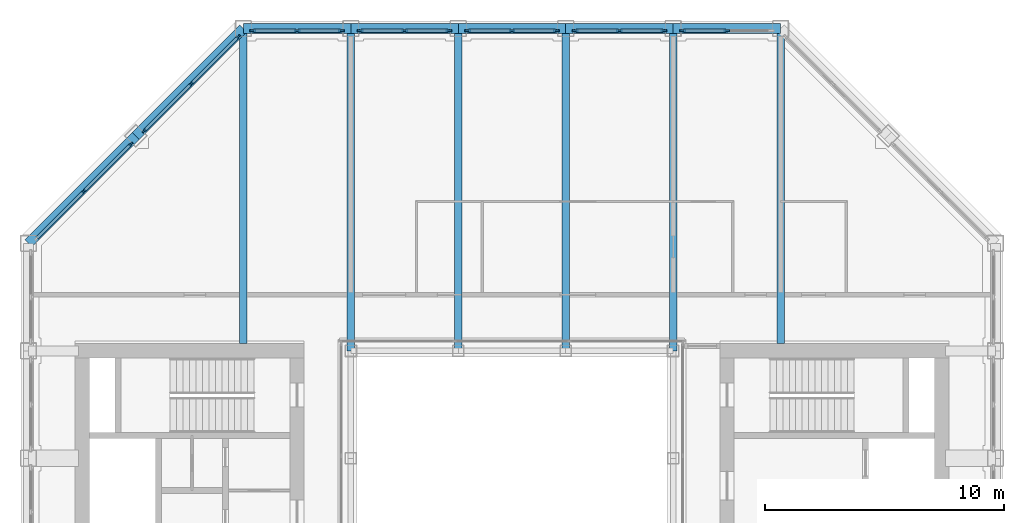
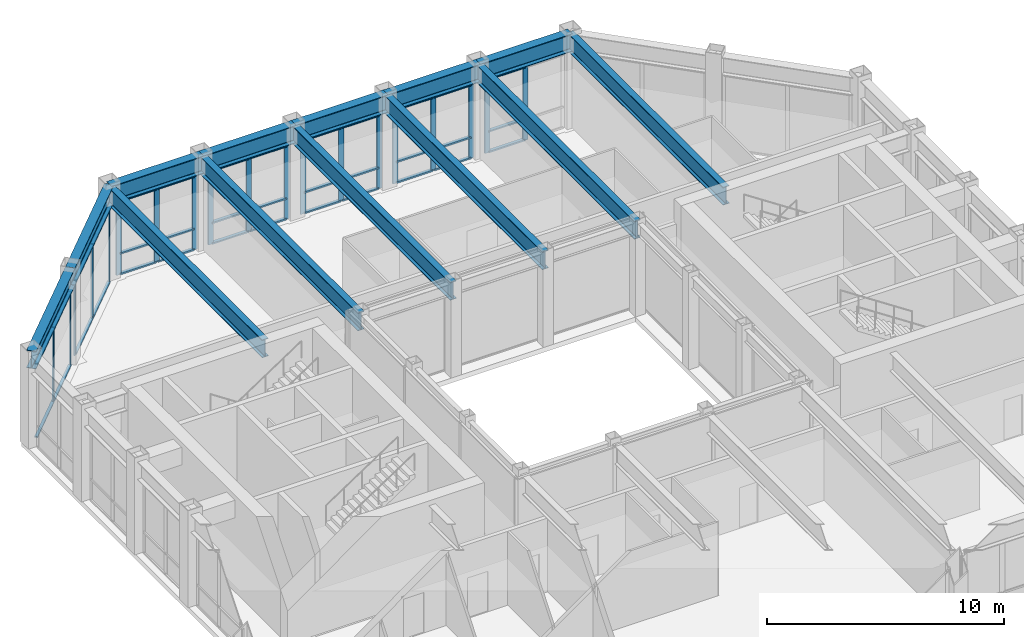
# One storey, part 7 of 15: 54 members, 13 beams, 7 elements without a shape of their own.
"""IFC4 building model written with IfcOpenShell, lengths in metres."""

import ifcopenshell
import ifcopenshell.guid

model = None  # the IFC model being written
_history = None  # IfcOwnerHistory: only IFC2X3 demands one
_inside = {}  # id of a spatial element -> (the spatial element, [elements in it])
_under = {}  # id of a project, library or spatial element -> (it, [spatial elements below it])
_declared = {}  # id of a project -> (the project, [libraries it declares])
_typed = {}  # id of a type object -> (the type object, [elements of that type])
_made_of = {}  # id of a material, layer set ... -> (it, [elements and type objects made of it])


def new_model(schema):
    """Start an empty IFC model of exactly this schema.

    Asked for "IFC4X3", IfcOpenShell would pick the latest addendum, in which some entities
    have other attributes; the version numbers below select the first issue.
    IFC2X3 requires an IfcOwnerHistory on every rooted entity: one is made here for all.
    """
    global model, _history
    if schema == "IFC4X3":
        model = ifcopenshell.file(schema_version=(4, 3, 0, 0))
    else:
        model = ifcopenshell.file(schema=schema)
    _inside.clear()
    _under.clear()
    _declared.clear()
    _typed.clear()
    _made_of.clear()
    _history = None
    if model.schema == "IFC2X3":
        org = make("IfcOrganization", Name="unknown")
        user = make(
            "IfcPersonAndOrganization",
            ThePerson=make("IfcPerson", FamilyName="unknown"),
            TheOrganization=org,
        )
        app = make(
            "IfcApplication",
            ApplicationDeveloper=org,
            Version="unknown",
            ApplicationFullName="unknown",
            ApplicationIdentifier="unknown",
        )
        _history = make(
            "IfcOwnerHistory",
            OwningUser=user,
            OwningApplication=app,
            ChangeAction="ADDED",
            CreationDate=0,
        )
    return model


def make(cls, **values):
    """One entity of the class cls with the attributes given. An attribute that is None is left unset."""
    return model.create_entity(
        cls, **{name: value for name, value in values.items() if value is not None}
    )


def rooted(cls, **values):
    """An entity with a GlobalId (a new one), such as an element, a storey or a relation."""
    return make(cls, GlobalId=ifcopenshell.guid.new(), OwnerHistory=_history, **values)


def si_unit(unit_type, name, prefix=None):
    """IfcSIUnit, for example si_unit("LENGTHUNIT", "METRE", prefix="MILLI")."""
    return make("IfcSIUnit", UnitType=unit_type, Prefix=prefix, Name=name)


def assignment(units):
    """IfcUnitAssignment: the units of a project."""
    return None if units is None else make("IfcUnitAssignment", Units=units)


def point(xyz):
    """IfcCartesianPoint."""
    return None if xyz is None else make("IfcCartesianPoint", Coordinates=xyz)


def direction(xyz):
    """IfcDirection."""
    return None if xyz is None else make("IfcDirection", DirectionRatios=xyz)


def frame(location, z_axis=None, x_axis=None):
    """IfcAxis2Placement3D, a coordinate frame: its origin and axes. An axis left out is left unset."""
    return make(
        "IfcAxis2Placement3D",
        Location=point(location),
        Axis=direction(z_axis),
        RefDirection=direction(x_axis),
    )


def frame_2d(location, x_axis=None):
    """IfcAxis2Placement2D, a coordinate frame in the plane: its origin and x axis."""
    return make(
        "IfcAxis2Placement2D", Location=point(location), RefDirection=direction(x_axis)
    )


def origin():
    """The frame at (0, 0, 0) with its axes left unset."""
    return frame((0.0, 0.0, 0.0))


def origin_2d():
    """The frame at (0, 0) in the plane with its x axis left unset."""
    return frame_2d((0.0, 0.0))


def place(relative_to, where):
    """IfcLocalPlacement: puts the frame where relative to a parent placement (None: the world)."""
    return make(
        "IfcLocalPlacement", PlacementRelTo=relative_to, RelativePlacement=where
    )


def context(
    kind, dimensions, precision=None, world=None, true_north=None, identifier=None
):
    """IfcGeometricRepresentationContext, for example the 3D "Model" context."""
    return make(
        "IfcGeometricRepresentationContext",
        ContextIdentifier=identifier,
        ContextType=kind,
        CoordinateSpaceDimension=dimensions,
        Precision=precision,
        WorldCoordinateSystem=world,
        TrueNorth=true_north,
    )


def subcontext(parent, identifier, kind, view, scale=None):
    """IfcGeometricRepresentationSubContext, for example "Body" below "Model"."""
    return make(
        "IfcGeometricRepresentationSubContext",
        ContextIdentifier=identifier,
        ContextType=kind,
        ParentContext=parent,
        TargetScale=scale,
        TargetView=view,
    )


def project(units=None, contexts=None):
    """IfcProject with its units and contexts."""
    return rooted(
        "IfcProject",
        Name="project",
        RepresentationContexts=contexts,
        UnitsInContext=assignment(units),
    )


def spatial(cls, under=None, at=None, **own):
    """A site, building, storey or space (cls), placed at a placement, below another one or the project."""
    s = rooted(cls, ObjectPlacement=at, **own)
    if under is not None:
        _under.setdefault(under.id(), (under, []))[1].append(s)
    return s


def profile(cls, at=None, kind="AREA", **sizes):
    """A parametric profile (cls). Its sizes go by their IFC names, for example OverallWidth=200.0."""
    return make(cls, ProfileType=kind, Position=at, **sizes)


def rectangle(**sizes):
    """IfcRectangleProfileDef."""
    return profile("IfcRectangleProfileDef", **sizes)


def i_section(**sizes):
    """IfcIShapeProfileDef."""
    return profile("IfcIShapeProfileDef", **sizes)


def extrude(swept, where, along, depth):
    """IfcExtrudedAreaSolid: the profile swept, set in the frame where, extruded along a direction by depth."""
    return make(
        "IfcExtrudedAreaSolid",
        SweptArea=swept,
        Position=where,
        ExtrudedDirection=direction(along),
        Depth=depth,
    )


def shape(context_of_items, identifier, shape_type, items):
    """IfcShapeRepresentation: the items that make up one representation, for example the "Body"."""
    return make(
        "IfcShapeRepresentation",
        ContextOfItems=context_of_items,
        RepresentationIdentifier=identifier,
        RepresentationType=shape_type,
        Items=items,
    )


def material(Name=None, Category=None):
    """IfcMaterial."""
    return make("IfcMaterial", Name=Name, Category=Category)


def material_profile(
    of_material, cross_section, Name=None, Category=None, Priority=None
):
    """IfcMaterialProfile: a cross section and its material."""
    return make(
        "IfcMaterialProfile",
        Name=Name,
        Material=of_material,
        Profile=cross_section,
        Priority=Priority,
        Category=Category,
    )


def profile_set(profiles, Name=None, composite=None):
    """IfcMaterialProfileSet."""
    return make(
        "IfcMaterialProfileSet",
        Name=Name,
        MaterialProfiles=profiles,
        CompositeProfile=composite,
    )


def made_of(thing, what):
    """Note that an element or type object is made of a material, layer set ...; save() writes the relation."""
    if what is not None:
        _made_of.setdefault(what.id(), (what, []))[1].append(thing)
    return thing


def type_object(cls, material=None, **own):
    """A type object (cls), such as IfcWallType, which elements share."""
    return made_of(rooted(cls, **own), material)


def element(
    cls,
    number,
    at=None,
    inside=None,
    cuts=None,
    type_object=None,
    material=None,
    context=None,
    identifier="Body",
    shape_type=None,
    held_by="IfcProductDefinitionShape",
    body=None,
    shapes=None,
    **own,
):
    """One element of the class cls, such as IfcWall. Its Tag is "e" and its number.

    at: its placement. inside: the storey or other place that contains it. cuts: it is an
    opening in that element (IfcRelVoidsElement). A single representation is given by context,
    identifier, shape_type and body (its items); several are given by shapes. held_by: the class
    of the entity that holds the representations. save() writes the other relations.
    """
    e = rooted(cls, Tag="e%d" % number, ObjectPlacement=at, **own)
    if body is not None:
        shapes = [shape(context, identifier, shape_type, body)]
    if shapes is not None:
        e.Representation = make(held_by, Representations=shapes)
    if inside is not None:
        _inside.setdefault(inside.id(), (inside, []))[1].append(e)
    if cuts is not None:
        rooted(
            "IfcRelVoidsElement", RelatingBuildingElement=cuts, RelatedOpeningElement=e
        )
    if type_object is not None:
        _typed.setdefault(type_object.id(), (type_object, []))[1].append(e)
    return made_of(e, material)


def aggregate(whole, parts):
    """IfcRelAggregates: a whole, such as a stair, and the parts it consists of."""
    return rooted("IfcRelAggregates", RelatingObject=whole, RelatedObjects=parts)


def save(model, path):
    """Write the relations noted so far, then the file.

    IfcRelAggregates (storeys below a building ...), IfcRelContainedInSpatialStructure (elements
    in a storey), IfcRelDefinesByType, IfcRelAssociatesMaterial and IfcRelDeclares: one each for
    every whole, place, type object, material and project.
    """
    for whole, parts in _under.values():
        aggregate(whole, parts)
    for where, things in _inside.values():
        rooted(
            "IfcRelContainedInSpatialStructure",
            RelatedElements=things,
            RelatingStructure=where,
        )
    for kind, things in _typed.values():
        rooted("IfcRelDefinesByType", RelatedObjects=things, RelatingType=kind)
    for what, things in _made_of.values():
        rooted("IfcRelAssociatesMaterial", RelatedObjects=things, RelatingMaterial=what)
    for by, libraries in _declared.values():
        rooted("IfcRelDeclares", RelatingContext=by, RelatedDefinitions=libraries)
    model.write(path)


model = new_model("IFC4")

# Units and contexts
model_context = context("Model", 3, precision=1e-05, world=origin(), true_north=direction((0.0, 1.0)))
body_context = subcontext(model_context, "Body", "Model", "MODEL_VIEW")
ifc_project = project(units=[si_unit("LENGTHUNIT", "METRE"), si_unit("AREAUNIT", "SQUARE_METRE"), si_unit("VOLUMEUNIT", "CUBIC_METRE"), si_unit("PLANEANGLEUNIT", "RADIAN"), si_unit("MASSUNIT", "GRAM", prefix="KILO")], contexts=[model_context])

# Site, building, storey
site_placement = place(None, origin())
site = spatial("IfcSite", under=ifc_project, at=site_placement, CompositionType="ELEMENT")
building_placement = place(site_placement, origin())
building = spatial("IfcBuilding", under=site, at=building_placement, Name="Msasa Ring Tower", CompositionType="ELEMENT")
storey_placement = place(building_placement, frame((0.0, 0.0, 257.050048828125)))
storey = spatial("IfcBuildingStorey", under=building, at=storey_placement, Name="L67", CompositionType="ELEMENT", Elevation=257.050048828125)

# Curtain wall, members
ifc_material_1 = material(Name="Aluminium curtain wall with clear glass", Category="aluminium")
curtain_wall_type_1 = type_object("IfcCurtainWallType", Name="CW-C CHAMFER CORNER CURTAIN WALL", PredefinedType="NOTDEFINED", material=ifc_material_1)
curtain_wall_1_placement = place(storey_placement, origin())
curtain_wall_1 = element("IfcCurtainWall", 1, at=curtain_wall_1_placement, inside=storey, type_object=curtain_wall_type_1, Name="Chamfer corner curtain wall NW L67", PredefinedType="NOTDEFINED")
ifc_material_2 = material(Name="Aluminium mullion", Category="aluminium")
ifc_material_profile_1 = material_profile(ifc_material_2, rectangle(XDim=0.06494140625, YDim=0.179931640625, at=origin_2d()), Name="AL 65x180")
ifc_profile_set_1 = profile_set([ifc_material_profile_1], Name="Aluminium mullion")
member_type_1 = type_object("IfcMemberType", Name="CW-C MULLION 65x180", PredefinedType="MULLION", material=ifc_profile_set_1)
member_1_placement = place(storey_placement, frame((-15.953369140625, 15.4052734375, 0.0), z_axis=(0.0, 0.0, 1.0), x_axis=(0.707106781187, -0.707106781187, 0.0)))
member_1 = element("IfcMember", 2, at=member_1_placement, type_object=member_type_1, Name="CW-C mullion 1", PredefinedType="MULLION", context=body_context, shape_type="SweptSolid", body=[
    extrude(rectangle(XDim=0.06494140625, YDim=0.179931640625, at=origin_2d()), origin(), (0.0, 0.0, 1.0), 3.828857421875),
])
member_2_placement = place(storey_placement, frame((-17.92919921875, 13.42919921875, 0.0), z_axis=(0.0, 0.0, 1.0), x_axis=(0.707106781187, -0.707106781187, 0.0)))
member_2 = element("IfcMember", 3, at=member_2_placement, type_object=member_type_1, Name="CW-C mullion 2", PredefinedType="MULLION", context=body_context, shape_type="SweptSolid", body=[
    extrude(rectangle(XDim=0.06494140625, YDim=0.179931640625, at=origin_2d()), origin(), (0.0, 0.0, 1.0), 3.828857421875),
])

curtain_wall_2_placement = place(storey_placement, origin())
curtain_wall_2 = element("IfcCurtainWall", 4, at=curtain_wall_2_placement, inside=storey, type_object=curtain_wall_type_1, Name="Chamfer corner curtain wall NW L67", PredefinedType="NOTDEFINED")
member_3_placement = place(storey_placement, frame((-11.453369140625, 19.9052734375, 0.0), z_axis=(0.0, 0.0, 1.0), x_axis=(0.707106781187, -0.707106781187, 0.0)))
member_3 = element("IfcMember", 5, at=member_3_placement, type_object=member_type_1, Name="CW-C mullion 1", PredefinedType="MULLION", context=body_context, shape_type="SweptSolid", body=[
    extrude(rectangle(XDim=0.06494140625, YDim=0.179931640625, at=origin_2d()), origin(), (0.0, 0.0, 1.0), 3.828857421875),
])
member_4_placement = place(storey_placement, frame((-13.42919921875, 17.92919921875, 0.0), z_axis=(0.0, 0.0, 1.0), x_axis=(0.707106781187, -0.707106781187, 0.0)))
member_4 = element("IfcMember", 6, at=member_4_placement, type_object=member_type_1, Name="CW-C mullion 2", PredefinedType="MULLION", context=body_context, shape_type="SweptSolid", body=[
    extrude(rectangle(XDim=0.06494140625, YDim=0.179931640625, at=origin_2d()), origin(), (0.0, 0.0, 1.0), 3.828857421875),
])
member_5_placement = place(storey_placement, frame((-15.4052734375, 15.953369140625, 0.0), z_axis=(0.0, 0.0, 1.0), x_axis=(0.707106781187, -0.707106781187, 0.0)))
member_5 = element("IfcMember", 7, at=member_5_placement, type_object=member_type_1, Name="CW-C mullion 3", PredefinedType="MULLION", context=body_context, shape_type="SweptSolid", body=[
    extrude(rectangle(XDim=0.06494140625, YDim=0.179931640625, at=origin_2d()), origin(), (0.0, 0.0, 1.0), 3.828857421875),
])

# Member
ifc_material_3 = material(Name="Aluminium transom", Category="aluminium")
ifc_material_profile_2 = material_profile(ifc_material_3, rectangle(XDim=0.139892578125, YDim=0.06494140625, at=origin_2d()), Name="AL 65x140")
ifc_profile_set_2 = profile_set([ifc_material_profile_2], Name="Aluminium transom")
member_type_2 = type_object("IfcMemberType", Name="CW-C TRANSOM 65x140", PredefinedType="USERDEFINED", material=ifc_profile_set_2)
member_6_placement = place(storey_placement, frame((-15.976318359375, 15.38232421875, 0.032470703125), z_axis=(-0.707106781187, -0.707106781187, 0.0), x_axis=(0.707106781187, -0.707106781187, 0.0)))
member_6 = element("IfcMember", 8, at=member_6_placement, type_object=member_type_2, Name="CW-C transom 1.1", ObjectType="TRANSOM", PredefinedType="USERDEFINED", context=body_context, shape_type="SweptSolid", body=[
    extrude(rectangle(XDim=0.139892578125, YDim=0.06494140625, at=origin_2d()), origin(), (0.0, 0.0, 1.0), 2.729248046875),
])

member_7_placement = place(storey_placement, frame((-15.976318359375, 15.38232421875, 3.79638671875), z_axis=(-0.707106781187, -0.707106781187, 0.0), x_axis=(0.707106781187, -0.707106781187, 0.0)))
member_7 = element("IfcMember", 9, at=member_7_placement, type_object=member_type_2, Name="CW-C transom 1.2", ObjectType="TRANSOM", PredefinedType="USERDEFINED", context=body_context, shape_type="SweptSolid", body=[
    extrude(rectangle(XDim=0.139892578125, YDim=0.06494140625, at=origin_2d()), origin(), (0.0, 0.0, 1.0), 2.729248046875),
])

member_8_placement = place(storey_placement, frame((-17.952392578125, 13.40625, 0.032470703125), z_axis=(-0.707106781187, -0.707106781187, 0.0), x_axis=(0.707106781187, -0.707106781187, 0.0)))
member_8 = element("IfcMember", 10, at=member_8_placement, type_object=member_type_2, Name="CW-C transom 2.1", ObjectType="TRANSOM", PredefinedType="USERDEFINED", context=body_context, shape_type="SweptSolid", body=[
    extrude(rectangle(XDim=0.139892578125, YDim=0.06494140625, at=origin_2d()), origin(), (0.0, 0.0, 1.0), 2.729248046875),
])

member_9_placement = place(storey_placement, frame((-17.952392578125, 13.40625, 3.79638671875), z_axis=(-0.707106781187, -0.707106781187, 0.0), x_axis=(0.707106781187, -0.707106781187, 0.0)))
member_9 = element("IfcMember", 11, at=member_9_placement, type_object=member_type_2, Name="CW-C transom 2.2", ObjectType="TRANSOM", PredefinedType="USERDEFINED", context=body_context, shape_type="SweptSolid", body=[
    extrude(rectangle(XDim=0.139892578125, YDim=0.06494140625, at=origin_2d()), origin(), (0.0, 0.0, 1.0), 2.729248046875),
])

aggregate(curtain_wall_1, [member_1, member_2, member_6, member_7, member_8, member_9])

member_10_placement = place(storey_placement, frame((-11.476318359375, 19.88232421875, 0.032470703125), z_axis=(-0.707106781187, -0.707106781187, 0.0), x_axis=(0.707106781187, -0.707106781187, 0.0)))
member_10 = element("IfcMember", 12, at=member_10_placement, type_object=member_type_2, Name="CW-C transom 1.1", ObjectType="TRANSOM", PredefinedType="USERDEFINED", context=body_context, shape_type="SweptSolid", body=[
    extrude(rectangle(XDim=0.139892578125, YDim=0.06494140625, at=origin_2d()), origin(), (0.0, 0.0, 1.0), 2.729248046875),
])

member_11_placement = place(storey_placement, frame((-11.476318359375, 19.88232421875, 3.79638671875), z_axis=(-0.707106781187, -0.707106781187, 0.0), x_axis=(0.707106781187, -0.707106781187, 0.0)))
member_11 = element("IfcMember", 13, at=member_11_placement, type_object=member_type_2, Name="CW-C transom 1.2", ObjectType="TRANSOM", PredefinedType="USERDEFINED", context=body_context, shape_type="SweptSolid", body=[
    extrude(rectangle(XDim=0.139892578125, YDim=0.06494140625, at=origin_2d()), origin(), (0.0, 0.0, 1.0), 2.729248046875),
])

member_12_placement = place(storey_placement, frame((-13.452392578125, 17.90625, 0.032470703125), z_axis=(-0.707106781187, -0.707106781187, 0.0), x_axis=(0.707106781187, -0.707106781187, 0.0)))
member_12 = element("IfcMember", 14, at=member_12_placement, type_object=member_type_2, Name="CW-C transom 2.1", ObjectType="TRANSOM", PredefinedType="USERDEFINED", context=body_context, shape_type="SweptSolid", body=[
    extrude(rectangle(XDim=0.139892578125, YDim=0.06494140625, at=origin_2d()), origin(), (0.0, 0.0, 1.0), 2.729248046875),
])

member_13_placement = place(storey_placement, frame((-13.452392578125, 17.90625, 3.79638671875), z_axis=(-0.707106781187, -0.707106781187, 0.0), x_axis=(0.707106781187, -0.707106781187, 0.0)))
member_13 = element("IfcMember", 15, at=member_13_placement, type_object=member_type_2, Name="CW-C transom 2.2", ObjectType="TRANSOM", PredefinedType="USERDEFINED", context=body_context, shape_type="SweptSolid", body=[
    extrude(rectangle(XDim=0.139892578125, YDim=0.06494140625, at=origin_2d()), origin(), (0.0, 0.0, 1.0), 2.729248046875),
])

aggregate(curtain_wall_2, [member_3, member_4, member_5, member_10, member_11, member_12, member_13])

# Curtain wall, members
ifc_material_4 = material(Name="Aluminium curtain wall with clear glass", Category="aluminium")
curtain_wall_type_2 = type_object("IfcCurtainWallType", Name="CW-S SKY LOBBY CURTAIN WALL", PredefinedType="NOTDEFINED", material=ifc_material_4)
curtain_wall_3_placement = place(storey_placement, origin())
curtain_wall_3 = element("IfcCurtainWall", 16, at=curtain_wall_3_placement, inside=storey, type_object=curtain_wall_type_2, Name="Sky lobby curtain wall N L67", PredefinedType="NOTDEFINED")
ifc_material_5 = material(Name="Aluminium mullion", Category="aluminium")
ifc_material_profile_3 = material_profile(ifc_material_5, rectangle(XDim=0.074951171875, YDim=0.25, at=origin_2d()), Name="AL 75x250")
ifc_profile_set_3 = profile_set([ifc_material_profile_3], Name="Aluminium mullion")
member_type_3 = type_object("IfcMemberType", Name="CW-S MULLION 75x250", PredefinedType="MULLION", material=ifc_profile_set_3)
member_14_placement = place(storey_placement, frame((-10.857421875, 20.14990234375, 0.0), z_axis=(0.0, 0.0, 1.0), x_axis=(0.0, 1.0, 0.0)))
member_14 = element("IfcMember", 17, at=member_14_placement, type_object=member_type_3, Name="CW-S mullion 1", PredefinedType="MULLION", context=body_context, shape_type="SweptSolid", body=[
    extrude(rectangle(XDim=0.074951171875, YDim=0.25, at=origin_2d()), origin(), (0.0, 0.0, 1.0), 3.828857421875),
])
member_15_placement = place(storey_placement, frame((-9.0, 20.14990234375, 0.0), z_axis=(0.0, 0.0, 1.0), x_axis=(0.0, 1.0, 0.0)))
member_15 = element("IfcMember", 18, at=member_15_placement, type_object=member_type_3, Name="CW-S mullion 2", PredefinedType="MULLION", context=body_context, shape_type="SweptSolid", body=[
    extrude(rectangle(XDim=0.074951171875, YDim=0.25, at=origin_2d()), origin(), (0.0, 0.0, 1.0), 3.828857421875),
])
member_16_placement = place(storey_placement, frame((-7.142578125, 20.14990234375, 0.0), z_axis=(0.0, 0.0, 1.0), x_axis=(0.0, 1.0, 0.0)))
member_16 = element("IfcMember", 19, at=member_16_placement, type_object=member_type_3, Name="CW-S mullion 3", PredefinedType="MULLION", context=body_context, shape_type="SweptSolid", body=[
    extrude(rectangle(XDim=0.074951171875, YDim=0.25, at=origin_2d()), origin(), (0.0, 0.0, 1.0), 3.828857421875),
])

curtain_wall_4_placement = place(storey_placement, origin())
curtain_wall_4 = element("IfcCurtainWall", 20, at=curtain_wall_4_placement, inside=storey, type_object=curtain_wall_type_2, Name="Sky lobby curtain wall N L67", PredefinedType="NOTDEFINED")
member_17_placement = place(storey_placement, frame((-6.357421875, 20.14990234375, 0.0), z_axis=(0.0, 0.0, 1.0), x_axis=(0.0, 1.0, 0.0)))
member_17 = element("IfcMember", 21, at=member_17_placement, type_object=member_type_3, Name="CW-S mullion 1", PredefinedType="MULLION", context=body_context, shape_type="SweptSolid", body=[
    extrude(rectangle(XDim=0.074951171875, YDim=0.25, at=origin_2d()), origin(), (0.0, 0.0, 1.0), 3.828857421875),
])
member_18_placement = place(storey_placement, frame((-4.5, 20.14990234375, 0.0), z_axis=(0.0, 0.0, 1.0), x_axis=(0.0, 1.0, 0.0)))
member_18 = element("IfcMember", 22, at=member_18_placement, type_object=member_type_3, Name="CW-S mullion 2", PredefinedType="MULLION", context=body_context, shape_type="SweptSolid", body=[
    extrude(rectangle(XDim=0.074951171875, YDim=0.25, at=origin_2d()), origin(), (0.0, 0.0, 1.0), 3.828857421875),
])
member_19_placement = place(storey_placement, frame((-2.642578125, 20.14990234375, 0.0), z_axis=(0.0, 0.0, 1.0), x_axis=(0.0, 1.0, 0.0)))
member_19 = element("IfcMember", 23, at=member_19_placement, type_object=member_type_3, Name="CW-S mullion 3", PredefinedType="MULLION", context=body_context, shape_type="SweptSolid", body=[
    extrude(rectangle(XDim=0.074951171875, YDim=0.25, at=origin_2d()), origin(), (0.0, 0.0, 1.0), 3.828857421875),
])

curtain_wall_5_placement = place(storey_placement, origin())
curtain_wall_5 = element("IfcCurtainWall", 24, at=curtain_wall_5_placement, inside=storey, type_object=curtain_wall_type_2, Name="Sky lobby curtain wall N L67", PredefinedType="NOTDEFINED")
member_20_placement = place(storey_placement, frame((-1.857421875, 20.14990234375, 0.0), z_axis=(0.0, 0.0, 1.0), x_axis=(0.0, 1.0, 0.0)))
member_20 = element("IfcMember", 25, at=member_20_placement, type_object=member_type_3, Name="CW-S mullion 1", PredefinedType="MULLION", context=body_context, shape_type="SweptSolid", body=[
    extrude(rectangle(XDim=0.074951171875, YDim=0.25, at=origin_2d()), origin(), (0.0, 0.0, 1.0), 3.828857421875),
])
member_21_placement = place(storey_placement, frame((0.0, 20.14990234375, 0.0), z_axis=(0.0, 0.0, 1.0), x_axis=(0.0, 1.0, 0.0)))
member_21 = element("IfcMember", 26, at=member_21_placement, type_object=member_type_3, Name="CW-S mullion 2", PredefinedType="MULLION", context=body_context, shape_type="SweptSolid", body=[
    extrude(rectangle(XDim=0.074951171875, YDim=0.25, at=origin_2d()), origin(), (0.0, 0.0, 1.0), 3.828857421875),
])
member_22_placement = place(storey_placement, frame((1.857421875, 20.14990234375, 0.0), z_axis=(0.0, 0.0, 1.0), x_axis=(0.0, 1.0, 0.0)))
member_22 = element("IfcMember", 27, at=member_22_placement, type_object=member_type_3, Name="CW-S mullion 3", PredefinedType="MULLION", context=body_context, shape_type="SweptSolid", body=[
    extrude(rectangle(XDim=0.074951171875, YDim=0.25, at=origin_2d()), origin(), (0.0, 0.0, 1.0), 3.828857421875),
])

curtain_wall_6_placement = place(storey_placement, origin())
curtain_wall_6 = element("IfcCurtainWall", 28, at=curtain_wall_6_placement, inside=storey, type_object=curtain_wall_type_2, Name="Sky lobby curtain wall N L67", PredefinedType="NOTDEFINED")
member_23_placement = place(storey_placement, frame((2.642578125, 20.14990234375, 0.0), z_axis=(0.0, 0.0, 1.0), x_axis=(0.0, 1.0, 0.0)))
member_23 = element("IfcMember", 29, at=member_23_placement, type_object=member_type_3, Name="CW-S mullion 1", PredefinedType="MULLION", context=body_context, shape_type="SweptSolid", body=[
    extrude(rectangle(XDim=0.074951171875, YDim=0.25, at=origin_2d()), origin(), (0.0, 0.0, 1.0), 3.828857421875),
])
member_24_placement = place(storey_placement, frame((4.5, 20.14990234375, 0.0), z_axis=(0.0, 0.0, 1.0), x_axis=(0.0, 1.0, 0.0)))
member_24 = element("IfcMember", 30, at=member_24_placement, type_object=member_type_3, Name="CW-S mullion 2", PredefinedType="MULLION", context=body_context, shape_type="SweptSolid", body=[
    extrude(rectangle(XDim=0.074951171875, YDim=0.25, at=origin_2d()), origin(), (0.0, 0.0, 1.0), 3.828857421875),
])
member_25_placement = place(storey_placement, frame((6.357421875, 20.14990234375, 0.0), z_axis=(0.0, 0.0, 1.0), x_axis=(0.0, 1.0, 0.0)))
member_25 = element("IfcMember", 31, at=member_25_placement, type_object=member_type_3, Name="CW-S mullion 3", PredefinedType="MULLION", context=body_context, shape_type="SweptSolid", body=[
    extrude(rectangle(XDim=0.074951171875, YDim=0.25, at=origin_2d()), origin(), (0.0, 0.0, 1.0), 3.828857421875),
])

curtain_wall_7_placement = place(storey_placement, origin())
curtain_wall_7 = element("IfcCurtainWall", 32, at=curtain_wall_7_placement, inside=storey, type_object=curtain_wall_type_2, Name="Sky lobby curtain wall N L67", PredefinedType="NOTDEFINED")
member_26_placement = place(storey_placement, frame((7.142578125, 20.14990234375, 0.0), z_axis=(0.0, 0.0, 1.0), x_axis=(0.0, 1.0, 0.0)))
member_26 = element("IfcMember", 33, at=member_26_placement, type_object=member_type_3, Name="CW-S mullion 1", PredefinedType="MULLION", context=body_context, shape_type="SweptSolid", body=[
    extrude(rectangle(XDim=0.074951171875, YDim=0.25, at=origin_2d()), origin(), (0.0, 0.0, 1.0), 3.828857421875),
])
member_27_placement = place(storey_placement, frame((9.0, 20.14990234375, 0.0), z_axis=(0.0, 0.0, 1.0), x_axis=(0.0, 1.0, 0.0)))
member_27 = element("IfcMember", 34, at=member_27_placement, type_object=member_type_3, Name="CW-S mullion 2", PredefinedType="MULLION", context=body_context, shape_type="SweptSolid", body=[
    extrude(rectangle(XDim=0.074951171875, YDim=0.25, at=origin_2d()), origin(), (0.0, 0.0, 1.0), 3.828857421875),
])

# Member
ifc_material_6 = material(Name="Aluminium transom", Category="aluminium")
ifc_material_profile_4 = material_profile(ifc_material_6, rectangle(XDim=0.159912109375, YDim=0.074951171875, at=origin_2d()), Name="AL 75x160")
ifc_profile_set_4 = profile_set([ifc_material_profile_4], Name="Aluminium transom")
member_type_4 = type_object("IfcMemberType", Name="CW-S TRANSOM 75x160", PredefinedType="USERDEFINED", material=ifc_profile_set_4)
member_28_placement = place(storey_placement, frame((-10.820068359375, 20.14990234375, 0.037353515625), z_axis=(1.0, 0.0, 0.0), x_axis=(0.0, 1.0, 0.0)))
member_28 = element("IfcMember", 35, at=member_28_placement, type_object=member_type_4, Name="CW-S transom 1.1", ObjectType="TRANSOM", PredefinedType="USERDEFINED", context=body_context, shape_type="SweptSolid", body=[
    extrude(rectangle(XDim=0.159912109375, YDim=0.074951171875, at=origin_2d()), origin(), (0.0, 0.0, 1.0), 1.782470703125),
])

member_29_placement = place(storey_placement, frame((-10.820068359375, 20.14990234375, 1.099853515625), z_axis=(1.0, 0.0, 0.0), x_axis=(0.0, 1.0, 0.0)))
member_29 = element("IfcMember", 36, at=member_29_placement, type_object=member_type_4, Name="CW-S transom 1.2", ObjectType="TRANSOM", PredefinedType="USERDEFINED", context=body_context, shape_type="SweptSolid", body=[
    extrude(rectangle(XDim=0.159912109375, YDim=0.074951171875, at=origin_2d()), origin(), (0.0, 0.0, 1.0), 1.782470703125),
])

member_30_placement = place(storey_placement, frame((-10.820068359375, 20.14990234375, 3.79150390625), z_axis=(1.0, 0.0, 0.0), x_axis=(0.0, 1.0, 0.0)))
member_30 = element("IfcMember", 37, at=member_30_placement, type_object=member_type_4, Name="CW-S transom 1.3", ObjectType="TRANSOM", PredefinedType="USERDEFINED", context=body_context, shape_type="SweptSolid", body=[
    extrude(rectangle(XDim=0.159912109375, YDim=0.074951171875, at=origin_2d()), origin(), (0.0, 0.0, 1.0), 1.782470703125),
])

member_31_placement = place(storey_placement, frame((-8.96240234375, 20.14990234375, 0.037353515625), z_axis=(1.0, 0.0, 0.0), x_axis=(0.0, 1.0, 0.0)))
member_31 = element("IfcMember", 38, at=member_31_placement, type_object=member_type_4, Name="CW-S transom 2.1", ObjectType="TRANSOM", PredefinedType="USERDEFINED", context=body_context, shape_type="SweptSolid", body=[
    extrude(rectangle(XDim=0.159912109375, YDim=0.074951171875, at=origin_2d()), origin(), (0.0, 0.0, 1.0), 1.782470703125),
])

member_32_placement = place(storey_placement, frame((-8.96240234375, 20.14990234375, 1.099853515625), z_axis=(1.0, 0.0, 0.0), x_axis=(0.0, 1.0, 0.0)))
member_32 = element("IfcMember", 39, at=member_32_placement, type_object=member_type_4, Name="CW-S transom 2.2", ObjectType="TRANSOM", PredefinedType="USERDEFINED", context=body_context, shape_type="SweptSolid", body=[
    extrude(rectangle(XDim=0.159912109375, YDim=0.074951171875, at=origin_2d()), origin(), (0.0, 0.0, 1.0), 1.782470703125),
])

member_33_placement = place(storey_placement, frame((-8.96240234375, 20.14990234375, 3.79150390625), z_axis=(1.0, 0.0, 0.0), x_axis=(0.0, 1.0, 0.0)))
member_33 = element("IfcMember", 40, at=member_33_placement, type_object=member_type_4, Name="CW-S transom 2.3", ObjectType="TRANSOM", PredefinedType="USERDEFINED", context=body_context, shape_type="SweptSolid", body=[
    extrude(rectangle(XDim=0.159912109375, YDim=0.074951171875, at=origin_2d()), origin(), (0.0, 0.0, 1.0), 1.782470703125),
])

aggregate(curtain_wall_3, [member_14, member_15, member_16, member_28, member_29, member_30, member_31, member_32, member_33])

member_34_placement = place(storey_placement, frame((-6.320068359375, 20.14990234375, 0.037353515625), z_axis=(1.0, 0.0, 0.0), x_axis=(0.0, 1.0, 0.0)))
member_34 = element("IfcMember", 41, at=member_34_placement, type_object=member_type_4, Name="CW-S transom 1.1", ObjectType="TRANSOM", PredefinedType="USERDEFINED", context=body_context, shape_type="SweptSolid", body=[
    extrude(rectangle(XDim=0.159912109375, YDim=0.074951171875, at=origin_2d()), origin(), (0.0, 0.0, 1.0), 1.782470703125),
])

member_35_placement = place(storey_placement, frame((-6.320068359375, 20.14990234375, 1.099853515625), z_axis=(1.0, 0.0, 0.0), x_axis=(0.0, 1.0, 0.0)))
member_35 = element("IfcMember", 42, at=member_35_placement, type_object=member_type_4, Name="CW-S transom 1.2", ObjectType="TRANSOM", PredefinedType="USERDEFINED", context=body_context, shape_type="SweptSolid", body=[
    extrude(rectangle(XDim=0.159912109375, YDim=0.074951171875, at=origin_2d()), origin(), (0.0, 0.0, 1.0), 1.782470703125),
])

member_36_placement = place(storey_placement, frame((-6.320068359375, 20.14990234375, 3.79150390625), z_axis=(1.0, 0.0, 0.0), x_axis=(0.0, 1.0, 0.0)))
member_36 = element("IfcMember", 43, at=member_36_placement, type_object=member_type_4, Name="CW-S transom 1.3", ObjectType="TRANSOM", PredefinedType="USERDEFINED", context=body_context, shape_type="SweptSolid", body=[
    extrude(rectangle(XDim=0.159912109375, YDim=0.074951171875, at=origin_2d()), origin(), (0.0, 0.0, 1.0), 1.782470703125),
])

member_37_placement = place(storey_placement, frame((-4.46240234375, 20.14990234375, 0.037353515625), z_axis=(1.0, 0.0, 0.0), x_axis=(0.0, 1.0, 0.0)))
member_37 = element("IfcMember", 44, at=member_37_placement, type_object=member_type_4, Name="CW-S transom 2.1", ObjectType="TRANSOM", PredefinedType="USERDEFINED", context=body_context, shape_type="SweptSolid", body=[
    extrude(rectangle(XDim=0.159912109375, YDim=0.074951171875, at=origin_2d()), origin(), (0.0, 0.0, 1.0), 1.782470703125),
])

member_38_placement = place(storey_placement, frame((-4.46240234375, 20.14990234375, 1.099853515625), z_axis=(1.0, 0.0, 0.0), x_axis=(0.0, 1.0, 0.0)))
member_38 = element("IfcMember", 45, at=member_38_placement, type_object=member_type_4, Name="CW-S transom 2.2", ObjectType="TRANSOM", PredefinedType="USERDEFINED", context=body_context, shape_type="SweptSolid", body=[
    extrude(rectangle(XDim=0.159912109375, YDim=0.074951171875, at=origin_2d()), origin(), (0.0, 0.0, 1.0), 1.782470703125),
])

member_39_placement = place(storey_placement, frame((-4.46240234375, 20.14990234375, 3.79150390625), z_axis=(1.0, 0.0, 0.0), x_axis=(0.0, 1.0, 0.0)))
member_39 = element("IfcMember", 46, at=member_39_placement, type_object=member_type_4, Name="CW-S transom 2.3", ObjectType="TRANSOM", PredefinedType="USERDEFINED", context=body_context, shape_type="SweptSolid", body=[
    extrude(rectangle(XDim=0.159912109375, YDim=0.074951171875, at=origin_2d()), origin(), (0.0, 0.0, 1.0), 1.782470703125),
])

aggregate(curtain_wall_4, [member_17, member_18, member_19, member_34, member_35, member_36, member_37, member_38, member_39])

member_40_placement = place(storey_placement, frame((-1.820068359375, 20.14990234375, 0.037353515625), z_axis=(1.0, 0.0, 0.0), x_axis=(0.0, 1.0, 0.0)))
member_40 = element("IfcMember", 47, at=member_40_placement, type_object=member_type_4, Name="CW-S transom 1.1", ObjectType="TRANSOM", PredefinedType="USERDEFINED", context=body_context, shape_type="SweptSolid", body=[
    extrude(rectangle(XDim=0.159912109375, YDim=0.074951171875, at=origin_2d()), origin(), (0.0, 0.0, 1.0), 1.782470703125),
])

member_41_placement = place(storey_placement, frame((-1.820068359375, 20.14990234375, 1.099853515625), z_axis=(1.0, 0.0, 0.0), x_axis=(0.0, 1.0, 0.0)))
member_41 = element("IfcMember", 48, at=member_41_placement, type_object=member_type_4, Name="CW-S transom 1.2", ObjectType="TRANSOM", PredefinedType="USERDEFINED", context=body_context, shape_type="SweptSolid", body=[
    extrude(rectangle(XDim=0.159912109375, YDim=0.074951171875, at=origin_2d()), origin(), (0.0, 0.0, 1.0), 1.782470703125),
])

member_42_placement = place(storey_placement, frame((-1.820068359375, 20.14990234375, 3.79150390625), z_axis=(1.0, 0.0, 0.0), x_axis=(0.0, 1.0, 0.0)))
member_42 = element("IfcMember", 49, at=member_42_placement, type_object=member_type_4, Name="CW-S transom 1.3", ObjectType="TRANSOM", PredefinedType="USERDEFINED", context=body_context, shape_type="SweptSolid", body=[
    extrude(rectangle(XDim=0.159912109375, YDim=0.074951171875, at=origin_2d()), origin(), (0.0, 0.0, 1.0), 1.782470703125),
])

member_43_placement = place(storey_placement, frame((0.03759765625, 20.14990234375, 0.037353515625), z_axis=(1.0, 0.0, 0.0), x_axis=(0.0, 1.0, 0.0)))
member_43 = element("IfcMember", 50, at=member_43_placement, type_object=member_type_4, Name="CW-S transom 2.1", ObjectType="TRANSOM", PredefinedType="USERDEFINED", context=body_context, shape_type="SweptSolid", body=[
    extrude(rectangle(XDim=0.159912109375, YDim=0.074951171875, at=origin_2d()), origin(), (0.0, 0.0, 1.0), 1.782470703125),
])

member_44_placement = place(storey_placement, frame((0.03759765625, 20.14990234375, 1.099853515625), z_axis=(1.0, 0.0, 0.0), x_axis=(0.0, 1.0, 0.0)))
member_44 = element("IfcMember", 51, at=member_44_placement, type_object=member_type_4, Name="CW-S transom 2.2", ObjectType="TRANSOM", PredefinedType="USERDEFINED", context=body_context, shape_type="SweptSolid", body=[
    extrude(rectangle(XDim=0.159912109375, YDim=0.074951171875, at=origin_2d()), origin(), (0.0, 0.0, 1.0), 1.782470703125),
])

member_45_placement = place(storey_placement, frame((0.03759765625, 20.14990234375, 3.79150390625), z_axis=(1.0, 0.0, 0.0), x_axis=(0.0, 1.0, 0.0)))
member_45 = element("IfcMember", 52, at=member_45_placement, type_object=member_type_4, Name="CW-S transom 2.3", ObjectType="TRANSOM", PredefinedType="USERDEFINED", context=body_context, shape_type="SweptSolid", body=[
    extrude(rectangle(XDim=0.159912109375, YDim=0.074951171875, at=origin_2d()), origin(), (0.0, 0.0, 1.0), 1.782470703125),
])

aggregate(curtain_wall_5, [member_20, member_21, member_22, member_40, member_41, member_42, member_43, member_44, member_45])

member_46_placement = place(storey_placement, frame((2.679931640625, 20.14990234375, 0.037353515625), z_axis=(1.0, 0.0, 0.0), x_axis=(0.0, 1.0, 0.0)))
member_46 = element("IfcMember", 53, at=member_46_placement, type_object=member_type_4, Name="CW-S transom 1.1", ObjectType="TRANSOM", PredefinedType="USERDEFINED", context=body_context, shape_type="SweptSolid", body=[
    extrude(rectangle(XDim=0.159912109375, YDim=0.074951171875, at=origin_2d()), origin(), (0.0, 0.0, 1.0), 1.782470703125),
])

member_47_placement = place(storey_placement, frame((2.679931640625, 20.14990234375, 1.099853515625), z_axis=(1.0, 0.0, 0.0), x_axis=(0.0, 1.0, 0.0)))
member_47 = element("IfcMember", 54, at=member_47_placement, type_object=member_type_4, Name="CW-S transom 1.2", ObjectType="TRANSOM", PredefinedType="USERDEFINED", context=body_context, shape_type="SweptSolid", body=[
    extrude(rectangle(XDim=0.159912109375, YDim=0.074951171875, at=origin_2d()), origin(), (0.0, 0.0, 1.0), 1.782470703125),
])

member_48_placement = place(storey_placement, frame((2.679931640625, 20.14990234375, 3.79150390625), z_axis=(1.0, 0.0, 0.0), x_axis=(0.0, 1.0, 0.0)))
member_48 = element("IfcMember", 55, at=member_48_placement, type_object=member_type_4, Name="CW-S transom 1.3", ObjectType="TRANSOM", PredefinedType="USERDEFINED", context=body_context, shape_type="SweptSolid", body=[
    extrude(rectangle(XDim=0.159912109375, YDim=0.074951171875, at=origin_2d()), origin(), (0.0, 0.0, 1.0), 1.782470703125),
])

member_49_placement = place(storey_placement, frame((4.53759765625, 20.14990234375, 0.037353515625), z_axis=(1.0, 0.0, 0.0), x_axis=(0.0, 1.0, 0.0)))
member_49 = element("IfcMember", 56, at=member_49_placement, type_object=member_type_4, Name="CW-S transom 2.1", ObjectType="TRANSOM", PredefinedType="USERDEFINED", context=body_context, shape_type="SweptSolid", body=[
    extrude(rectangle(XDim=0.159912109375, YDim=0.074951171875, at=origin_2d()), origin(), (0.0, 0.0, 1.0), 1.782470703125),
])

member_50_placement = place(storey_placement, frame((4.53759765625, 20.14990234375, 1.099853515625), z_axis=(1.0, 0.0, 0.0), x_axis=(0.0, 1.0, 0.0)))
member_50 = element("IfcMember", 57, at=member_50_placement, type_object=member_type_4, Name="CW-S transom 2.2", ObjectType="TRANSOM", PredefinedType="USERDEFINED", context=body_context, shape_type="SweptSolid", body=[
    extrude(rectangle(XDim=0.159912109375, YDim=0.074951171875, at=origin_2d()), origin(), (0.0, 0.0, 1.0), 1.782470703125),
])

member_51_placement = place(storey_placement, frame((4.53759765625, 20.14990234375, 3.79150390625), z_axis=(1.0, 0.0, 0.0), x_axis=(0.0, 1.0, 0.0)))
member_51 = element("IfcMember", 58, at=member_51_placement, type_object=member_type_4, Name="CW-S transom 2.3", ObjectType="TRANSOM", PredefinedType="USERDEFINED", context=body_context, shape_type="SweptSolid", body=[
    extrude(rectangle(XDim=0.159912109375, YDim=0.074951171875, at=origin_2d()), origin(), (0.0, 0.0, 1.0), 1.782470703125),
])

aggregate(curtain_wall_6, [member_23, member_24, member_25, member_46, member_47, member_48, member_49, member_50, member_51])

member_52_placement = place(storey_placement, frame((7.179931640625, 20.14990234375, 0.037353515625), z_axis=(1.0, 0.0, 0.0), x_axis=(0.0, 1.0, 0.0)))
member_52 = element("IfcMember", 59, at=member_52_placement, type_object=member_type_4, Name="CW-S transom 1.1", ObjectType="TRANSOM", PredefinedType="USERDEFINED", context=body_context, shape_type="SweptSolid", body=[
    extrude(rectangle(XDim=0.159912109375, YDim=0.074951171875, at=origin_2d()), origin(), (0.0, 0.0, 1.0), 1.782470703125),
])

member_53_placement = place(storey_placement, frame((7.179931640625, 20.14990234375, 1.099853515625), z_axis=(1.0, 0.0, 0.0), x_axis=(0.0, 1.0, 0.0)))
member_53 = element("IfcMember", 60, at=member_53_placement, type_object=member_type_4, Name="CW-S transom 1.2", ObjectType="TRANSOM", PredefinedType="USERDEFINED", context=body_context, shape_type="SweptSolid", body=[
    extrude(rectangle(XDim=0.159912109375, YDim=0.074951171875, at=origin_2d()), origin(), (0.0, 0.0, 1.0), 1.782470703125),
])

member_54_placement = place(storey_placement, frame((7.179931640625, 20.14990234375, 3.79150390625), z_axis=(1.0, 0.0, 0.0), x_axis=(0.0, 1.0, 0.0)))
member_54 = element("IfcMember", 61, at=member_54_placement, type_object=member_type_4, Name="CW-S transom 1.3", ObjectType="TRANSOM", PredefinedType="USERDEFINED", context=body_context, shape_type="SweptSolid", body=[
    extrude(rectangle(XDim=0.159912109375, YDim=0.074951171875, at=origin_2d()), origin(), (0.0, 0.0, 1.0), 1.782470703125),
])

aggregate(curtain_wall_7, [member_26, member_27, member_52, member_53, member_54])

# Beams
ifc_material_7 = material(Name="Steel S355", Category="steel")
ifc_material_profile_5 = material_profile(ifc_material_7, i_section(OverallWidth=0.3076171875, OverallDepth=0.926513671875, WebThickness=0.01953125, FlangeThickness=0.031982421875, FilletRadius=0.01904296875, at=origin_2d()), Name="UB 914x305x289")
ifc_profile_set_5 = profile_set([ifc_material_profile_5], Name="Steel S355")
beam_type_1 = type_object("IfcBeamType", Name="FB3 UB 914x305x289", PredefinedType="BEAM", material=ifc_profile_set_5)
beam_1_placement = place(storey_placement, frame((-11.25, 20.25, 4.28662109375), z_axis=(0.0, -1.0, 0.0), x_axis=(1.0, 0.0, 0.0)))
element("IfcBeam", 62, at=beam_1_placement, inside=storey, type_object=beam_type_1, Name="Floor beam N-11.25 under L68", PredefinedType="BEAM", context=body_context, shape_type="SweptSolid", body=[
    extrude(i_section(OverallWidth=0.3076171875, OverallDepth=0.926513671875, WebThickness=0.01953125, FlangeThickness=0.031982421875, FilletRadius=0.01904296875, at=origin_2d()), origin(), (0.0, 0.0, 1.0), 13.199951171875),
])
for number, where, z_axis, x_axis, name in (
    (63, (-6.75, 20.25, 4.28662109375), (0.0, -1.0, 0.0), (1.0, 0.0, 0.0), "Floor beam N-6.75 under L68"),
    (64, (-2.25, 20.25, 4.28662109375), (0.0, -1.0, 0.0), (1.0, 0.0, 0.0), "Floor beam N-2.25 under L68"),
    (65, (2.25, 20.25, 4.28662109375), (0.0, -1.0, 0.0), (1.0, 0.0, 0.0), "Floor beam N+2.25 under L68"),
    (66, (6.75, 20.25, 4.28662109375), (0.0, -1.0, 0.0), (1.0, 0.0, 0.0), "Floor beam N+6.75 under L68"),
):
    element("IfcBeam", number, at=place(storey_placement, frame(where, z_axis=z_axis, x_axis=x_axis)), inside=storey, type_object=beam_type_1, Name=name, PredefinedType="BEAM", context=body_context, shape_type="SweptSolid", body=[
        extrude(i_section(OverallWidth=0.3076171875, OverallDepth=0.926513671875, WebThickness=0.01953125, FlangeThickness=0.031982421875, FilletRadius=0.01904296875, at=origin_2d()), origin(), (0.0, 0.0, 1.0), 13.5),
    ])
beam_2_placement = place(storey_placement, frame((11.25, 20.25, 4.28662109375), z_axis=(0.0, -1.0, 0.0), x_axis=(1.0, 0.0, 0.0)))
element("IfcBeam", 67, at=beam_2_placement, inside=storey, type_object=beam_type_1, Name="Floor beam N+11.25 under L68", PredefinedType="BEAM", context=body_context, shape_type="SweptSolid", body=[
    extrude(i_section(OverallWidth=0.3076171875, OverallDepth=0.926513671875, WebThickness=0.01953125, FlangeThickness=0.031982421875, FilletRadius=0.01904296875, at=origin_2d()), origin(), (0.0, 0.0, 1.0), 13.199951171875),
])
ifc_material_8 = material(Name="Steel S355", Category="steel")
ifc_material_profile_6 = material_profile(ifc_material_8, i_section(OverallWidth=0.42041015625, OverallDepth=0.9208984375, WebThickness=0.021484375, FlangeThickness=0.03662109375, FilletRadius=0.024169921875, at=origin_2d()), Name="UB 914x419x388")
ifc_profile_set_6 = profile_set([ifc_material_profile_6], Name="Steel S355")
beam_type_2 = type_object("IfcBeamType", Name="SB1 UB 914x419x388", PredefinedType="SPANDREL", material=ifc_profile_set_6)
for number, where, z_axis, x_axis, name in (
    (68, (11.25, 20.25, 4.28955078125), (-1.0, 0.0, 0.0), (0.0, -1.0, 0.0), "Spandrel N+11.25 to N+6.75 under L68"),
    (69, (6.75, 20.25, 4.28955078125), (-1.0, 0.0, 0.0), (0.0, -1.0, 0.0), "Spandrel N+6.75 to N+2.25 under L68"),
    (70, (2.25, 20.25, 4.28955078125), (-1.0, 0.0, 0.0), (0.0, -1.0, 0.0), "Spandrel N+2.25 to N-2.25 under L68"),
    (71, (-2.25, 20.25, 4.28955078125), (-1.0, 0.0, 0.0), (0.0, -1.0, 0.0), "Spandrel N-2.25 to N-6.75 under L68"),
    (72, (-6.75, 20.25, 4.28955078125), (-1.0, 0.0, 0.0), (0.0, -1.0, 0.0), "Spandrel N-6.75 to N-11.25 under L68"),
):
    element("IfcBeam", number, at=place(storey_placement, frame(where, z_axis=z_axis, x_axis=x_axis)), inside=storey, type_object=beam_type_2, Name=name, PredefinedType="SPANDREL", context=body_context, shape_type="SweptSolid", body=[
        extrude(i_section(OverallWidth=0.42041015625, OverallDepth=0.9208984375, WebThickness=0.021484375, FlangeThickness=0.03662109375, FilletRadius=0.024169921875, at=origin_2d()), origin(), (0.0, 0.0, 1.0), 4.5),
    ])
for number, where, z_axis, x_axis, name in (
    (73, (-11.25, 20.25, 4.28955078125), (-0.707106781187, -0.707106781187, 0.0), (0.707106781187, -0.707106781187, 0.0), "Spandrel N-11.25 to NW under L68"),
    (74, (-15.75, 15.75, 4.28955078125), (-0.707106781187, -0.707106781187, 0.0), (0.707106781187, -0.707106781187, 0.0), "Spandrel NW to W+11.25 under L68"),
):
    element("IfcBeam", number, at=place(storey_placement, frame(where, z_axis=z_axis, x_axis=x_axis)), inside=storey, type_object=beam_type_2, Name=name, PredefinedType="SPANDREL", context=body_context, shape_type="SweptSolid", body=[
        extrude(i_section(OverallWidth=0.42041015625, OverallDepth=0.9208984375, WebThickness=0.021484375, FlangeThickness=0.03662109375, FilletRadius=0.024169921875, at=origin_2d()), origin(), (0.0, 0.0, 1.0), 6.364013671875),
    ])

save(model, "model.ifc")
